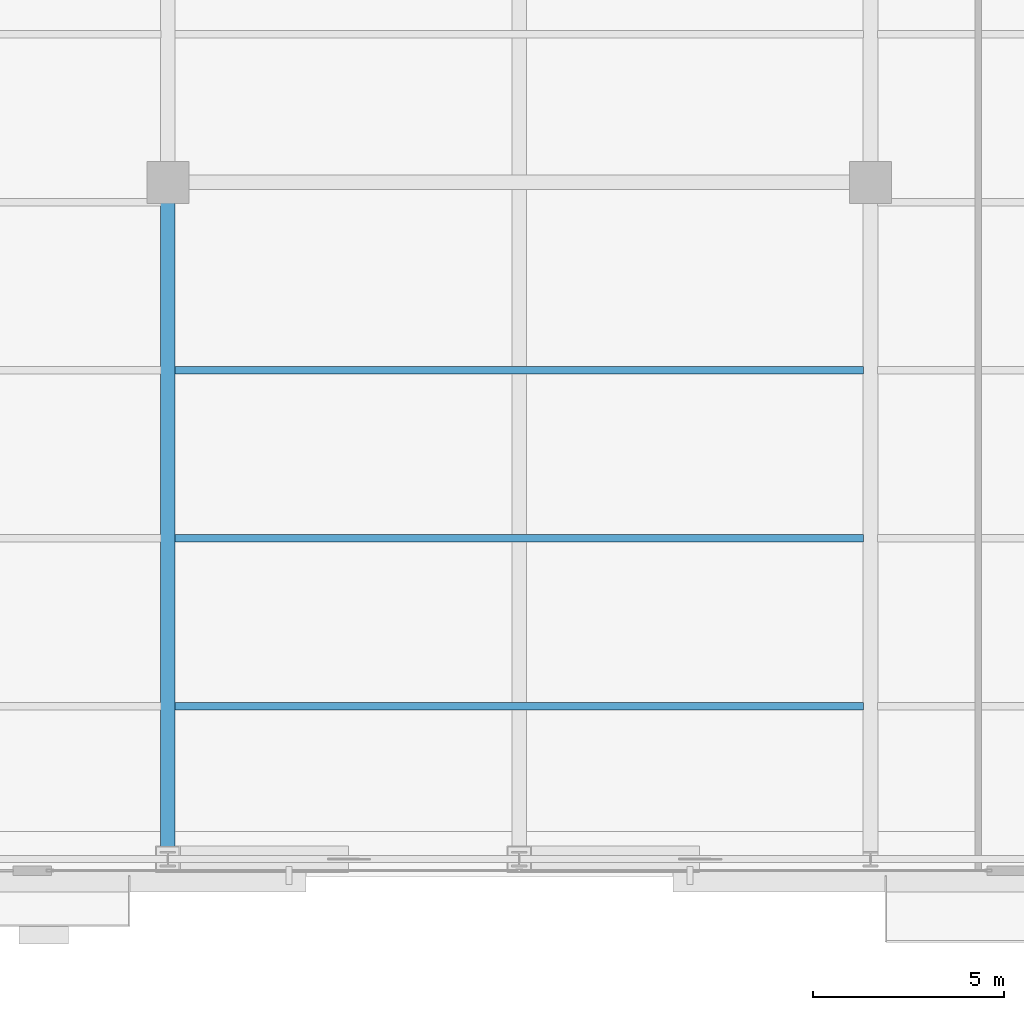
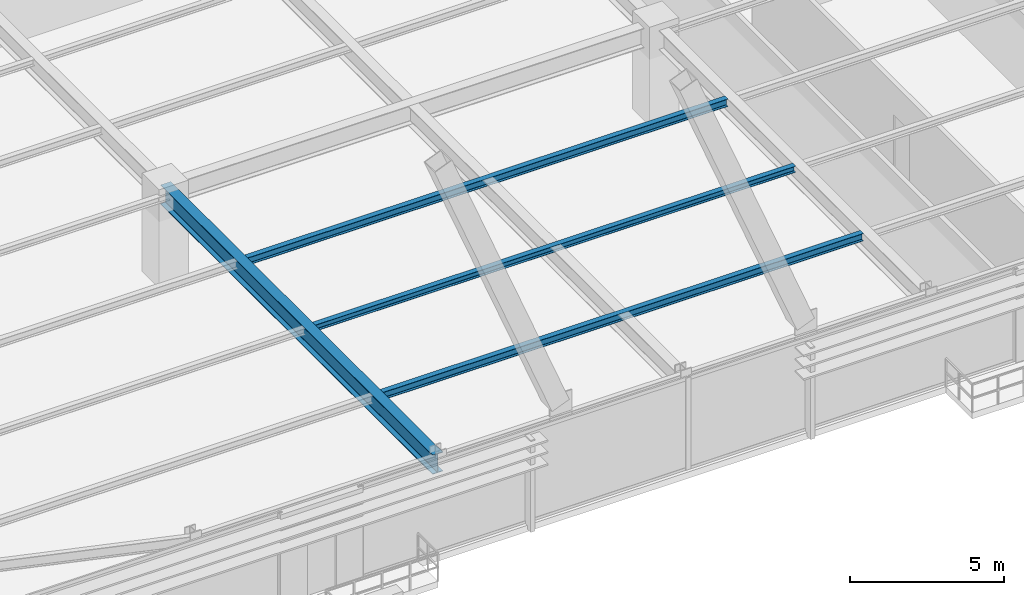
# One storey, part 8 of 35: 4 beams.
"""IFC4 building model written with IfcOpenShell, lengths in metres."""

from ifc_helpers import new_model, si_unit, direction, frame, origin, origin_2d, place, context, subcontext, project, spatial, i_section, extrude, source, transform, mapped, material, material_profile, profile_set, type_object, type_shapes, element, save


model = new_model("IFC4")

# Units and contexts
model_context = context("Model", 3, precision=1e-05, world=origin(), true_north=direction((0.0, 1.0)))
body_context = subcontext(model_context, "Body", "Model", "MODEL_VIEW")
ifc_project = project(units=[si_unit("LENGTHUNIT", "METRE"), si_unit("AREAUNIT", "SQUARE_METRE"), si_unit("VOLUMEUNIT", "CUBIC_METRE"), si_unit("PLANEANGLEUNIT", "RADIAN"), si_unit("MASSUNIT", "GRAM", prefix="KILO")], contexts=[model_context])

# Site, building, storey
site_placement = place(None, origin())
site = spatial("IfcSite", under=ifc_project, at=site_placement, CompositionType="ELEMENT")
building_placement = place(site_placement, origin())
building = spatial("IfcBuilding", under=site, at=building_placement, Name="Varnel Quay Broadcast Tower", CompositionType="ELEMENT")
storey_placement = place(building_placement, frame((0.0, 0.0, 66.60009765625)))
storey = spatial("IfcBuildingStorey", under=building, at=storey_placement, Name="L15", CompositionType="ELEMENT", Elevation=66.60009765625)

# Beams
ifc_material = material(Name="Structural Steel CSA G40.21 350W", Category="steel")
ifc_material_profile_1 = material_profile(ifc_material, i_section(OverallWidth=0.381103515625, OverallDepth=0.77294921875, WebThickness=0.0166015625, FlangeThickness=0.027587890625, FilletRadius=0.01806640625, at=origin_2d()), Name="W760X257")
ifc_profile_set_1 = profile_set([ifc_material_profile_1], Name="Structural Steel CSA G40.21 350W")
beam_type_1 = type_object("IfcBeamType", Name="Girder_W760X257", PredefinedType="BEAM", material=ifc_profile_set_1)
shared_shape_1 = source(origin(), body_context, "Body", "SweptSolid", [
    extrude(i_section(OverallWidth=0.381103515625, OverallDepth=0.77294921875, WebThickness=0.0166015625, FlangeThickness=0.027587890625, FilletRadius=0.01806640625, at=origin_2d()), origin(), (0.0, 0.0, 1.0), 17.68017578125),
])
type_shapes(beam_type_1, [shared_shape_1])
beam_1_placement = place(storey_placement, frame((24.800048828125, 1.669921875, 3.263427734375), z_axis=(0.0, 1.0, 0.0), x_axis=(-1.0, 0.0, 0.0)))
element("IfcBeam", 1, at=beam_1_placement, inside=storey, type_object=beam_type_1, Name="L15 Primary Girder TC-S2-IC-01", PredefinedType="BEAM", context=body_context, shape_type="MappedRepresentation", body=[
    mapped(shared_shape_1, transform((0.0, 0.0, 0.0), x_axis=(1.0, 0.0, 0.0), y_axis=(0.0, 1.0, 0.0), z_axis=(0.0, 0.0, 1.0), scale=1.0)),
])
ifc_material_profile_2 = material_profile(ifc_material, i_section(OverallWidth=0.202880859375, OverallDepth=0.302978515625, WebThickness=0.007568359375, FlangeThickness=0.01318359375, FilletRadius=0.011962890625, at=origin_2d()), Name="W310X60")
ifc_profile_set_2 = profile_set([ifc_material_profile_2], Name="Structural Steel CSA G40.21 350W")
beam_type_2 = type_object("IfcBeamType", Name="Beam_W310X60", PredefinedType="JOIST", material=ifc_profile_set_2)
shared_shape_2 = source(origin(), body_context, "Body", "SweptSolid", [
    extrude(i_section(OverallWidth=0.202880859375, OverallDepth=0.302978515625, WebThickness=0.007568359375, FlangeThickness=0.01318359375, FilletRadius=0.011962890625, at=origin_2d()), origin(), (0.0, 0.0, 1.0), 18.02880859375),
])
type_shapes(beam_type_2, [shared_shape_2])
for number, where, z_axis, x_axis, name in (
    (2, (24.985595703125, 5.64990234375, 3.498291015625), (1.0, 0.0, 0.0), (0.0, 1.0, 0.0), "L15 Central Floor Joist 1"),
    (3, (24.985595703125, 14.449951171875, 3.498291015625), (1.0, 0.0, 0.0), (0.0, 1.0, 0.0), "L15 Central Floor Joist 3"),
):
    element("IfcBeam", number, at=place(storey_placement, frame(where, z_axis=z_axis, x_axis=x_axis)), inside=storey, type_object=beam_type_2, Name=name, PredefinedType="JOIST", context=body_context, shape_type="MappedRepresentation", body=[
        mapped(shared_shape_2, transform((0.0, 0.0, 0.0), x_axis=(1.0, 0.0, 0.0), y_axis=(0.0, 1.0, 0.0), z_axis=(0.0, 0.0, 1.0), scale=1.0)),
    ])
ifc_material_profile_3 = material_profile(ifc_material, i_section(OverallWidth=0.201904296875, OverallDepth=0.2470703125, WebThickness=0.00732421875, FlangeThickness=0.010986328125, FilletRadius=0.010986328125, at=origin_2d()), Name="W250X49")
ifc_profile_set_3 = profile_set([ifc_material_profile_3], Name="Structural Steel CSA G40.21 350W")
beam_type_3 = type_object("IfcBeamType", Name="Beam_W250X49", PredefinedType="JOIST", material=ifc_profile_set_3)
shared_shape_3 = source(origin(), body_context, "Body", "SweptSolid", [
    extrude(i_section(OverallWidth=0.201904296875, OverallDepth=0.2470703125, WebThickness=0.00732421875, FlangeThickness=0.010986328125, FilletRadius=0.010986328125, at=origin_2d()), origin(), (0.0, 0.0, 1.0), 18.02880859375),
])
type_shapes(beam_type_3, [shared_shape_3])
beam_2_placement = place(storey_placement, frame((24.985595703125, 10.050048828125, 3.5263671875), z_axis=(1.0, 0.0, 0.0), x_axis=(0.0, 1.0, 0.0)))
element("IfcBeam", 4, at=beam_2_placement, inside=storey, type_object=beam_type_3, Name="L15 Central Floor Joist 2", PredefinedType="JOIST", context=body_context, shape_type="MappedRepresentation", body=[
    mapped(shared_shape_3, transform((0.0, 0.0, 0.0), x_axis=(1.0, 0.0, 0.0), y_axis=(0.0, 1.0, 0.0), z_axis=(0.0, 0.0, 1.0), scale=1.0)),
])

save(model, "model.ifc")
